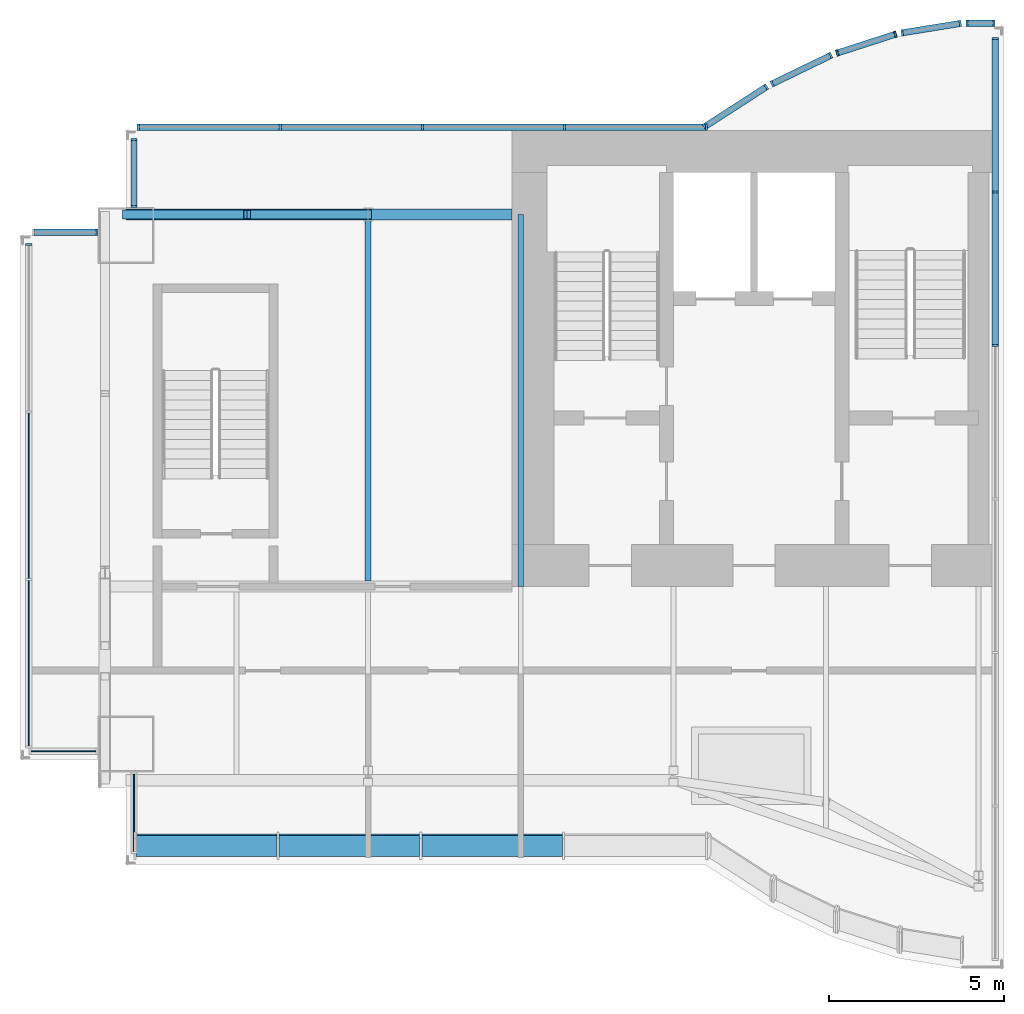
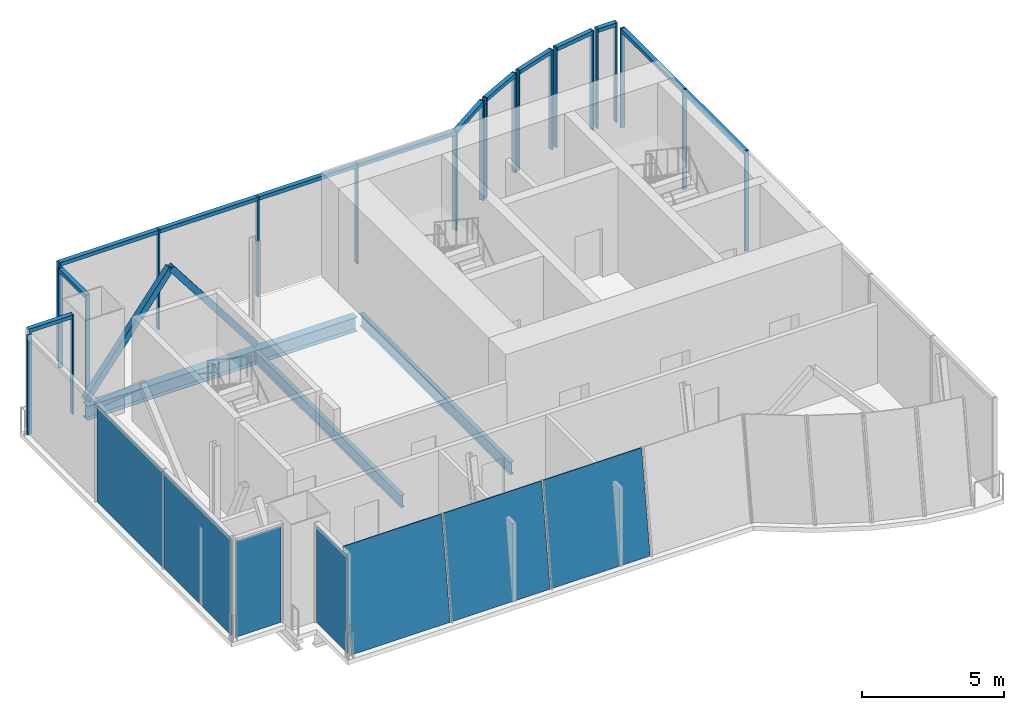
# One storey, part 2 of 6: 37 members, 7 plates, 4 beams, 13 elements without a shape of their own.
"""IFC4 building model written with IfcOpenShell, lengths in metres."""

import ifcopenshell
import ifcopenshell.guid

model = None  # the IFC model being written
_history = None  # IfcOwnerHistory: only IFC2X3 demands one
_inside = {}  # id of a spatial element -> (the spatial element, [elements in it])
_under = {}  # id of a project, library or spatial element -> (it, [spatial elements below it])
_declared = {}  # id of a project -> (the project, [libraries it declares])
_typed = {}  # id of a type object -> (the type object, [elements of that type])
_made_of = {}  # id of a material, layer set ... -> (it, [elements and type objects made of it])


def new_model(schema):
    """Start an empty IFC model of exactly this schema.

    Asked for "IFC4X3", IfcOpenShell would pick the latest addendum, in which some entities
    have other attributes; the version numbers below select the first issue.
    IFC2X3 requires an IfcOwnerHistory on every rooted entity: one is made here for all.
    """
    global model, _history
    if schema == "IFC4X3":
        model = ifcopenshell.file(schema_version=(4, 3, 0, 0))
    else:
        model = ifcopenshell.file(schema=schema)
    _inside.clear()
    _under.clear()
    _declared.clear()
    _typed.clear()
    _made_of.clear()
    _history = None
    if model.schema == "IFC2X3":
        org = make("IfcOrganization", Name="unknown")
        user = make(
            "IfcPersonAndOrganization",
            ThePerson=make("IfcPerson", FamilyName="unknown"),
            TheOrganization=org,
        )
        app = make(
            "IfcApplication",
            ApplicationDeveloper=org,
            Version="unknown",
            ApplicationFullName="unknown",
            ApplicationIdentifier="unknown",
        )
        _history = make(
            "IfcOwnerHistory",
            OwningUser=user,
            OwningApplication=app,
            ChangeAction="ADDED",
            CreationDate=0,
        )
    return model


def make(cls, **values):
    """One entity of the class cls with the attributes given. An attribute that is None is left unset."""
    return model.create_entity(
        cls, **{name: value for name, value in values.items() if value is not None}
    )


def rooted(cls, **values):
    """An entity with a GlobalId (a new one), such as an element, a storey or a relation."""
    return make(cls, GlobalId=ifcopenshell.guid.new(), OwnerHistory=_history, **values)


def si_unit(unit_type, name, prefix=None):
    """IfcSIUnit, for example si_unit("LENGTHUNIT", "METRE", prefix="MILLI")."""
    return make("IfcSIUnit", UnitType=unit_type, Prefix=prefix, Name=name)


def assignment(units):
    """IfcUnitAssignment: the units of a project."""
    return None if units is None else make("IfcUnitAssignment", Units=units)


def point(xyz):
    """IfcCartesianPoint."""
    return None if xyz is None else make("IfcCartesianPoint", Coordinates=xyz)


def direction(xyz):
    """IfcDirection."""
    return None if xyz is None else make("IfcDirection", DirectionRatios=xyz)


def frame(location, z_axis=None, x_axis=None):
    """IfcAxis2Placement3D, a coordinate frame: its origin and axes. An axis left out is left unset."""
    return make(
        "IfcAxis2Placement3D",
        Location=point(location),
        Axis=direction(z_axis),
        RefDirection=direction(x_axis),
    )


def frame_2d(location, x_axis=None):
    """IfcAxis2Placement2D, a coordinate frame in the plane: its origin and x axis."""
    return make(
        "IfcAxis2Placement2D", Location=point(location), RefDirection=direction(x_axis)
    )


def origin():
    """The frame at (0, 0, 0) with its axes left unset."""
    return frame((0.0, 0.0, 0.0))


def origin_2d():
    """The frame at (0, 0) in the plane with its x axis left unset."""
    return frame_2d((0.0, 0.0))


def place(relative_to, where):
    """IfcLocalPlacement: puts the frame where relative to a parent placement (None: the world)."""
    return make(
        "IfcLocalPlacement", PlacementRelTo=relative_to, RelativePlacement=where
    )


def context(
    kind, dimensions, precision=None, world=None, true_north=None, identifier=None
):
    """IfcGeometricRepresentationContext, for example the 3D "Model" context."""
    return make(
        "IfcGeometricRepresentationContext",
        ContextIdentifier=identifier,
        ContextType=kind,
        CoordinateSpaceDimension=dimensions,
        Precision=precision,
        WorldCoordinateSystem=world,
        TrueNorth=true_north,
    )


def subcontext(parent, identifier, kind, view, scale=None):
    """IfcGeometricRepresentationSubContext, for example "Body" below "Model"."""
    return make(
        "IfcGeometricRepresentationSubContext",
        ContextIdentifier=identifier,
        ContextType=kind,
        ParentContext=parent,
        TargetScale=scale,
        TargetView=view,
    )


def project(units=None, contexts=None):
    """IfcProject with its units and contexts."""
    return rooted(
        "IfcProject",
        Name="project",
        RepresentationContexts=contexts,
        UnitsInContext=assignment(units),
    )


def spatial(cls, under=None, at=None, **own):
    """A site, building, storey or space (cls), placed at a placement, below another one or the project."""
    s = rooted(cls, ObjectPlacement=at, **own)
    if under is not None:
        _under.setdefault(under.id(), (under, []))[1].append(s)
    return s


def polyline(points):
    """IfcPolyline through the points."""
    return make("IfcPolyline", Points=[point(p) for p in points])


def profile(cls, at=None, kind="AREA", **sizes):
    """A parametric profile (cls). Its sizes go by their IFC names, for example OverallWidth=200.0."""
    return make(cls, ProfileType=kind, Position=at, **sizes)


def rectangle(**sizes):
    """IfcRectangleProfileDef."""
    return profile("IfcRectangleProfileDef", **sizes)


def hollow_rectangle(**sizes):
    """IfcRectangleHollowProfileDef."""
    return profile("IfcRectangleHollowProfileDef", **sizes)


def i_section(**sizes):
    """IfcIShapeProfileDef."""
    return profile("IfcIShapeProfileDef", **sizes)


def outline(outer, holes=None, kind="AREA"):
    """IfcArbitraryClosedProfileDef: a profile drawn as a closed curve; with holes, ...WithVoids."""
    if holes is None:
        return make("IfcArbitraryClosedProfileDef", ProfileType=kind, OuterCurve=outer)
    return make(
        "IfcArbitraryProfileDefWithVoids",
        ProfileType=kind,
        OuterCurve=outer,
        InnerCurves=holes,
    )


def extrude(swept, where, along, depth):
    """IfcExtrudedAreaSolid: the profile swept, set in the frame where, extruded along a direction by depth."""
    return make(
        "IfcExtrudedAreaSolid",
        SweptArea=swept,
        Position=where,
        ExtrudedDirection=direction(along),
        Depth=depth,
    )


def shape(context_of_items, identifier, shape_type, items):
    """IfcShapeRepresentation: the items that make up one representation, for example the "Body"."""
    return make(
        "IfcShapeRepresentation",
        ContextOfItems=context_of_items,
        RepresentationIdentifier=identifier,
        RepresentationType=shape_type,
        Items=items,
    )


def material(Name=None, Category=None):
    """IfcMaterial."""
    return make("IfcMaterial", Name=Name, Category=Category)


def layer(
    of_material, thickness, ventilated=None, Name=None, Category=None, Priority=None
):
    """IfcMaterialLayer: one layer of a wall or slab, of a material (None: an air gap)."""
    return make(
        "IfcMaterialLayer",
        Material=of_material,
        LayerThickness=thickness,
        IsVentilated=ventilated,
        Name=Name,
        Category=Category,
        Priority=Priority,
    )


def layer_set(layers, Name=None):
    """IfcMaterialLayerSet."""
    return make("IfcMaterialLayerSet", MaterialLayers=layers, LayerSetName=Name)


def material_profile(
    of_material, cross_section, Name=None, Category=None, Priority=None
):
    """IfcMaterialProfile: a cross section and its material."""
    return make(
        "IfcMaterialProfile",
        Name=Name,
        Material=of_material,
        Profile=cross_section,
        Priority=Priority,
        Category=Category,
    )


def profile_set(profiles, Name=None, composite=None):
    """IfcMaterialProfileSet."""
    return make(
        "IfcMaterialProfileSet",
        Name=Name,
        MaterialProfiles=profiles,
        CompositeProfile=composite,
    )


def made_of(thing, what):
    """Note that an element or type object is made of a material, layer set ...; save() writes the relation."""
    if what is not None:
        _made_of.setdefault(what.id(), (what, []))[1].append(thing)
    return thing


def type_object(cls, material=None, **own):
    """A type object (cls), such as IfcWallType, which elements share."""
    return made_of(rooted(cls, **own), material)


def element(
    cls,
    number,
    at=None,
    inside=None,
    cuts=None,
    type_object=None,
    material=None,
    context=None,
    identifier="Body",
    shape_type=None,
    held_by="IfcProductDefinitionShape",
    body=None,
    shapes=None,
    **own,
):
    """One element of the class cls, such as IfcWall. Its Tag is "e" and its number.

    at: its placement. inside: the storey or other place that contains it. cuts: it is an
    opening in that element (IfcRelVoidsElement). A single representation is given by context,
    identifier, shape_type and body (its items); several are given by shapes. held_by: the class
    of the entity that holds the representations. save() writes the other relations.
    """
    e = rooted(cls, Tag="e%d" % number, ObjectPlacement=at, **own)
    if body is not None:
        shapes = [shape(context, identifier, shape_type, body)]
    if shapes is not None:
        e.Representation = make(held_by, Representations=shapes)
    if inside is not None:
        _inside.setdefault(inside.id(), (inside, []))[1].append(e)
    if cuts is not None:
        rooted(
            "IfcRelVoidsElement", RelatingBuildingElement=cuts, RelatedOpeningElement=e
        )
    if type_object is not None:
        _typed.setdefault(type_object.id(), (type_object, []))[1].append(e)
    return made_of(e, material)


def aggregate(whole, parts):
    """IfcRelAggregates: a whole, such as a stair, and the parts it consists of."""
    return rooted("IfcRelAggregates", RelatingObject=whole, RelatedObjects=parts)


def save(model, path):
    """Write the relations noted so far, then the file.

    IfcRelAggregates (storeys below a building ...), IfcRelContainedInSpatialStructure (elements
    in a storey), IfcRelDefinesByType, IfcRelAssociatesMaterial and IfcRelDeclares: one each for
    every whole, place, type object, material and project.
    """
    for whole, parts in _under.values():
        aggregate(whole, parts)
    for where, things in _inside.values():
        rooted(
            "IfcRelContainedInSpatialStructure",
            RelatedElements=things,
            RelatingStructure=where,
        )
    for kind, things in _typed.values():
        rooted("IfcRelDefinesByType", RelatedObjects=things, RelatingType=kind)
    for what, things in _made_of.values():
        rooted("IfcRelAssociatesMaterial", RelatedObjects=things, RelatingMaterial=what)
    for by, libraries in _declared.values():
        rooted("IfcRelDeclares", RelatingContext=by, RelatedDefinitions=libraries)
    model.write(path)


model = new_model("IFC4")

# Units and contexts
model_context = context("Model", 3, precision=1e-05, world=origin(), true_north=direction((0.0, 1.0)))
body_context = subcontext(model_context, "Body", "Model", "MODEL_VIEW")
ifc_project = project(units=[si_unit("LENGTHUNIT", "METRE"), si_unit("AREAUNIT", "SQUARE_METRE"), si_unit("VOLUMEUNIT", "CUBIC_METRE"), si_unit("PLANEANGLEUNIT", "RADIAN"), si_unit("MASSUNIT", "GRAM", prefix="KILO")], contexts=[model_context])

# Site, building, storey
site_placement = place(None, origin())
site = spatial("IfcSite", under=ifc_project, at=site_placement, CompositionType="ELEMENT")
building_placement = place(site_placement, origin())
building = spatial("IfcBuilding", under=site, at=building_placement, Name="Bicima Exchange Tower", CompositionType="ELEMENT")
storey_placement = place(building_placement, frame((0.0, 0.0, 365.89990234375)))
storey = spatial("IfcBuildingStorey", under=building, at=storey_placement, Name="L82", CompositionType="ELEMENT", Elevation=365.89990234375)

# Curtain wall, members
ifc_material_1 = material(Name="Anodised bronze aluminium", Category="aluminium")
curtain_wall_type = type_object("IfcCurtainWallType", Name="Crown glass wall", PredefinedType="NOTDEFINED", material=ifc_material_1)
curtain_wall_1_placement = place(storey_placement, origin())
curtain_wall_1 = element("IfcCurtainWall", 1, at=curtain_wall_1_placement, inside=storey, type_object=curtain_wall_type, Name="Crown glass wall L82 run 2", PredefinedType="NOTDEFINED")
ifc_material_profile_1 = material_profile(ifc_material_1, rectangle(XDim=0.179931640625, YDim=0.06005859375, at=origin_2d()))
ifc_profile_set_1 = profile_set([ifc_material_profile_1], Name="Anodised bronze aluminium")
member_type_1 = type_object("IfcMemberType", Name="Crown glass wall mullion 60 x 180", PredefinedType="MULLION", material=ifc_profile_set_1)
member_1_placement = place(storey_placement, frame((-8.22998046875, -6.134521484375, 0.0), z_axis=(0.0, 0.0, 1.0), x_axis=(-1.0, 0.0, 0.0)))
member_1 = element("IfcMember", 2, at=member_1_placement, type_object=member_type_1, Name="Crown glass wall mullion 5", PredefinedType="MULLION", context=body_context, shape_type="SweptSolid", body=[
    extrude(rectangle(XDim=0.179931640625, YDim=0.06005859375, at=origin_2d()), origin(), (0.0, 0.0, 1.0), 4.300048828125),
])
member_2_placement = place(storey_placement, frame((-8.22998046875, -1.7607421875, 0.0), z_axis=(0.0, 0.0, 1.0), x_axis=(-1.0, 0.0, 0.0)))
member_2 = element("IfcMember", 3, at=member_2_placement, type_object=member_type_1, Name="Crown glass wall mullion 6", PredefinedType="MULLION", context=body_context, shape_type="SweptSolid", body=[
    extrude(rectangle(XDim=0.179931640625, YDim=0.06005859375, at=origin_2d()), origin(), (0.0, 0.0, 1.0), 4.300048828125),
])
member_3_placement = place(storey_placement, frame((-8.22998046875, 2.613037109375, 0.0), z_axis=(0.0, 0.0, 1.0), x_axis=(-1.0, 0.0, 0.0)))
member_3 = element("IfcMember", 4, at=member_3_placement, type_object=member_type_1, Name="Crown glass wall mullion 7", PredefinedType="MULLION", context=body_context, shape_type="SweptSolid", body=[
    extrude(rectangle(XDim=0.179931640625, YDim=0.06005859375, at=origin_2d()), origin(), (0.0, 0.0, 1.0), 4.300048828125),
])

curtain_wall_2_placement = place(storey_placement, origin())
curtain_wall_2 = element("IfcCurtainWall", 5, at=curtain_wall_2_placement, inside=storey, type_object=curtain_wall_type, Name="Crown glass wall L82 run 3", PredefinedType="NOTDEFINED")
member_4_placement = place(storey_placement, frame((-8.260009765625, 3.052978515625, 0.0), z_axis=(0.0, 0.0, 1.0), x_axis=(0.0, -1.0, 0.0)))
member_4 = element("IfcMember", 6, at=member_4_placement, type_object=member_type_1, Name="Crown glass wall mullion 1", PredefinedType="MULLION", context=body_context, shape_type="SweptSolid", body=[
    extrude(rectangle(XDim=0.179931640625, YDim=0.06005859375, at=origin_2d()), origin(), (0.0, 0.0, 1.0), 4.300048828125),
])
member_5_placement = place(storey_placement, frame((-9.0283203125, 3.052978515625, 0.0), z_axis=(0.0, 0.0, 1.0), x_axis=(0.0, -1.0, 0.0)))
member_5 = element("IfcMember", 7, at=member_5_placement, type_object=member_type_1, Name="Crown glass wall mullion 2", PredefinedType="MULLION", context=body_context, shape_type="SweptSolid", body=[
    extrude(rectangle(XDim=0.179931640625, YDim=0.06005859375, at=origin_2d()), origin(), (0.0, 0.0, 1.0), 4.300048828125),
])

curtain_wall_3_placement = place(storey_placement, origin())
curtain_wall_3 = element("IfcCurtainWall", 8, at=curtain_wall_3_placement, inside=storey, type_object=curtain_wall_type, Name="Crown glass wall L82 run 4", PredefinedType="NOTDEFINED")
member_6_placement = place(storey_placement, frame((-9.22900390625, 3.044189453125, 0.0), z_axis=(0.0, 0.0, 1.0), x_axis=(0.159550386184, -0.987189786347, 0.0)))
member_6 = element("IfcMember", 9, at=member_6_placement, type_object=member_type_1, Name="Crown glass wall mullion 1", PredefinedType="MULLION", context=body_context, shape_type="SweptSolid", body=[
    extrude(rectangle(XDim=0.179931640625, YDim=0.06005859375, at=origin_2d()), origin(), (0.0, 0.0, 1.0), 4.300048828125),
])
member_7_placement = place(storey_placement, frame((-10.878662109375, 2.777587890625, 0.0), z_axis=(0.0, 0.0, 1.0), x_axis=(0.159550386184, -0.987189786347, 0.0)))
member_7 = element("IfcMember", 10, at=member_7_placement, type_object=member_type_1, Name="Crown glass wall mullion 2", PredefinedType="MULLION", context=body_context, shape_type="SweptSolid", body=[
    extrude(rectangle(XDim=0.179931640625, YDim=0.06005859375, at=origin_2d()), origin(), (0.0, 0.0, 1.0), 4.300048828125),
])

curtain_wall_4_placement = place(storey_placement, origin())
curtain_wall_4 = element("IfcCurtainWall", 11, at=curtain_wall_4_placement, inside=storey, type_object=curtain_wall_type, Name="Crown glass wall L82 run 5", PredefinedType="NOTDEFINED")
member_8_placement = place(storey_placement, frame((-11.072998046875, 2.73779296875, 0.0), z_axis=(0.0, 0.0, 1.0), x_axis=(0.307572519808, -0.951524642381, 0.0)))
member_8 = element("IfcMember", 12, at=member_8_placement, type_object=member_type_1, Name="Crown glass wall mullion 1", PredefinedType="MULLION", context=body_context, shape_type="SweptSolid", body=[
    extrude(rectangle(XDim=0.179931640625, YDim=0.06005859375, at=origin_2d()), origin(), (0.0, 0.0, 1.0), 4.300048828125),
])
member_9_placement = place(storey_placement, frame((-12.731689453125, 2.20166015625, 0.0), z_axis=(0.0, 0.0, 1.0), x_axis=(0.307572519808, -0.951524642381, 0.0)))
member_9 = element("IfcMember", 13, at=member_9_placement, type_object=member_type_1, Name="Crown glass wall mullion 2", PredefinedType="MULLION", context=body_context, shape_type="SweptSolid", body=[
    extrude(rectangle(XDim=0.179931640625, YDim=0.06005859375, at=origin_2d()), origin(), (0.0, 0.0, 1.0), 4.300048828125),
])

curtain_wall_5_placement = place(storey_placement, origin())
curtain_wall_5 = element("IfcCurtainWall", 14, at=curtain_wall_5_placement, inside=storey, type_object=curtain_wall_type, Name="Crown glass wall L82 run 6", PredefinedType="NOTDEFINED")
member_10_placement = place(storey_placement, frame((-12.913818359375, 2.135009765625, 0.0), z_axis=(0.0, 0.0, 1.0), x_axis=(0.436264762204, -0.899818346812, 0.0)))
member_10 = element("IfcMember", 15, at=member_10_placement, type_object=member_type_1, Name="Crown glass wall mullion 1", PredefinedType="MULLION", context=body_context, shape_type="SweptSolid", body=[
    extrude(rectangle(XDim=0.179931640625, YDim=0.06005859375, at=origin_2d()), origin(), (0.0, 0.0, 1.0), 4.300048828125),
])
member_11_placement = place(storey_placement, frame((-14.585205078125, 1.32470703125, 0.0), z_axis=(0.0, 0.0, 1.0), x_axis=(0.436264762204, -0.899818346812, 0.0)))
member_11 = element("IfcMember", 16, at=member_11_placement, type_object=member_type_1, Name="Crown glass wall mullion 2", PredefinedType="MULLION", context=body_context, shape_type="SweptSolid", body=[
    extrude(rectangle(XDim=0.179931640625, YDim=0.06005859375, at=origin_2d()), origin(), (0.0, 0.0, 1.0), 4.300048828125),
])

curtain_wall_6_placement = place(storey_placement, origin())
curtain_wall_6 = element("IfcCurtainWall", 17, at=curtain_wall_6_placement, inside=storey, type_object=curtain_wall_type, Name="Crown glass wall L82 run 7", PredefinedType="NOTDEFINED")
member_12_placement = place(storey_placement, frame((-14.752685546875, 1.23681640625, 0.0), z_axis=(0.0, 0.0, 1.0), x_axis=(0.542910648791, -0.839790466384, 0.0)))
member_12 = element("IfcMember", 18, at=member_12_placement, type_object=member_type_1, Name="Crown glass wall mullion 1", PredefinedType="MULLION", context=body_context, shape_type="SweptSolid", body=[
    extrude(rectangle(XDim=0.179931640625, YDim=0.06005859375, at=origin_2d()), origin(), (0.0, 0.0, 1.0), 4.300048828125),
])
member_13_placement = place(storey_placement, frame((-16.505126953125, 0.10400390625, 0.0), z_axis=(0.0, 0.0, 1.0), x_axis=(0.542910648791, -0.839790466384, 0.0)))
member_13 = element("IfcMember", 19, at=member_13_placement, type_object=member_type_1, Name="Crown glass wall mullion 2", PredefinedType="MULLION", context=body_context, shape_type="SweptSolid", body=[
    extrude(rectangle(XDim=0.179931640625, YDim=0.06005859375, at=origin_2d()), origin(), (0.0, 0.0, 1.0), 4.300048828125),
])

curtain_wall_7_placement = place(storey_placement, origin())
curtain_wall_7 = element("IfcCurtainWall", 20, at=curtain_wall_7_placement, inside=storey, type_object=curtain_wall_type, Name="Crown glass wall L82 run 8", PredefinedType="NOTDEFINED")
member_14_placement = place(storey_placement, frame((-16.462158203125, 0.090087890625, 0.0), z_axis=(0.0, 0.0, 1.0), x_axis=(0.0, -1.0, 0.0)))
member_14 = element("IfcMember", 21, at=member_14_placement, type_object=member_type_1, Name="Crown glass wall mullion 1", PredefinedType="MULLION", context=body_context, shape_type="SweptSolid", body=[
    extrude(rectangle(XDim=0.179931640625, YDim=0.06005859375, at=origin_2d()), origin(), (0.0, 0.0, 1.0), 4.300048828125),
])
member_15_placement = place(storey_placement, frame((-20.509033203125, 0.090087890625, 0.0), z_axis=(0.0, 0.0, 1.0), x_axis=(0.0, -1.0, 0.0)))
member_15 = element("IfcMember", 22, at=member_15_placement, type_object=member_type_1, Name="Crown glass wall mullion 2", PredefinedType="MULLION", context=body_context, shape_type="SweptSolid", body=[
    extrude(rectangle(XDim=0.179931640625, YDim=0.06005859375, at=origin_2d()), origin(), (0.0, 0.0, 1.0), 4.300048828125),
])
member_16_placement = place(storey_placement, frame((-24.55615234375, 0.090087890625, 0.0), z_axis=(0.0, 0.0, 1.0), x_axis=(0.0, -1.0, 0.0)))
member_16 = element("IfcMember", 23, at=member_16_placement, type_object=member_type_1, Name="Crown glass wall mullion 3", PredefinedType="MULLION", context=body_context, shape_type="SweptSolid", body=[
    extrude(rectangle(XDim=0.179931640625, YDim=0.06005859375, at=origin_2d()), origin(), (0.0, 0.0, 1.0), 4.300048828125),
])
member_17_placement = place(storey_placement, frame((-28.60302734375, 0.090087890625, 0.0), z_axis=(0.0, 0.0, 1.0), x_axis=(0.0, -1.0, 0.0)))
member_17 = element("IfcMember", 24, at=member_17_placement, type_object=member_type_1, Name="Crown glass wall mullion 4", PredefinedType="MULLION", context=body_context, shape_type="SweptSolid", body=[
    extrude(rectangle(XDim=0.179931640625, YDim=0.06005859375, at=origin_2d()), origin(), (0.0, 0.0, 1.0), 4.300048828125),
])
member_18_placement = place(storey_placement, frame((-32.64990234375, 0.090087890625, 0.0), z_axis=(0.0, 0.0, 1.0), x_axis=(0.0, -1.0, 0.0)))
member_18 = element("IfcMember", 25, at=member_18_placement, type_object=member_type_1, Name="Crown glass wall mullion 5", PredefinedType="MULLION", context=body_context, shape_type="SweptSolid", body=[
    extrude(rectangle(XDim=0.179931640625, YDim=0.06005859375, at=origin_2d()), origin(), (0.0, 0.0, 1.0), 4.300048828125),
])

curtain_wall_8_placement = place(storey_placement, origin())
curtain_wall_8 = element("IfcCurtainWall", 26, at=curtain_wall_8_placement, inside=storey, type_object=curtain_wall_type, Name="Crown glass wall L82 run 9", PredefinedType="NOTDEFINED")
member_19_placement = place(storey_placement, frame((-32.77001953125, -0.260009765625, 0.0), z_axis=(0.0, 0.0, 1.0), x_axis=(1.0, 0.0, 0.0)))
member_19 = element("IfcMember", 27, at=member_19_placement, type_object=member_type_1, Name="Crown glass wall mullion 1", PredefinedType="MULLION", context=body_context, shape_type="SweptSolid", body=[
    extrude(rectangle(XDim=0.179931640625, YDim=0.06005859375, at=origin_2d()), origin(), (0.0, 0.0, 1.0), 4.300048828125),
])
member_20_placement = place(storey_placement, frame((-32.77001953125, -2.169921875, 0.0), z_axis=(0.0, 0.0, 1.0), x_axis=(1.0, 0.0, 0.0)))
member_20 = element("IfcMember", 28, at=member_20_placement, type_object=member_type_1, Name="Crown glass wall mullion 2", PredefinedType="MULLION", context=body_context, shape_type="SweptSolid", body=[
    extrude(rectangle(XDim=0.179931640625, YDim=0.06005859375, at=origin_2d()), origin(), (0.0, 0.0, 1.0), 4.300048828125),
])

# Curtain wall, member
curtain_wall_9_placement = place(storey_placement, origin())
curtain_wall_9 = element("IfcCurtainWall", 29, at=curtain_wall_9_placement, inside=storey, type_object=curtain_wall_type, Name="Crown glass wall L82 run 10", PredefinedType="NOTDEFINED")
member_21_placement = place(storey_placement, frame((-33.830078125, -2.909912109375, 0.0), z_axis=(0.0, 0.0, 1.0), x_axis=(0.0, -1.0, 0.0)))
member_21 = element("IfcMember", 30, at=member_21_placement, type_object=member_type_1, Name="Crown glass wall mullion 1", PredefinedType="MULLION", context=body_context, shape_type="SweptSolid", body=[
    extrude(rectangle(XDim=0.179931640625, YDim=0.06005859375, at=origin_2d()), origin(), (0.0, 0.0, 1.0), 4.300048828125),
])

curtain_wall_10_placement = place(storey_placement, origin())
curtain_wall_10 = element("IfcCurtainWall", 31, at=curtain_wall_10_placement, inside=storey, type_object=curtain_wall_type, Name="Crown glass wall L82 run 11", PredefinedType="NOTDEFINED")
member_22_placement = place(storey_placement, frame((-35.77001953125, -3.260009765625, 0.0), z_axis=(0.0, 0.0, 1.0), x_axis=(1.0, 0.0, 0.0)))
member_22 = element("IfcMember", 32, at=member_22_placement, type_object=member_type_1, Name="Crown glass wall mullion 1", PredefinedType="MULLION", context=body_context, shape_type="SweptSolid", body=[
    extrude(rectangle(XDim=0.179931640625, YDim=0.06005859375, at=origin_2d()), origin(), (0.0, 0.0, 1.0), 4.300048828125),
])

# Member
ifc_material_profile_2 = material_profile(ifc_material_1, rectangle(XDim=0.179931640625, YDim=0.159912109375, at=origin_2d()))
ifc_profile_set_2 = profile_set([ifc_material_profile_2], Name="Anodised bronze aluminium")
member_type_2 = type_object("IfcMemberType", Name="Crown glass wall transom 160 x 180", PredefinedType="USERDEFINED", material=ifc_profile_set_2)
member_23_placement = place(storey_placement, frame((-8.22998046875, -6.1044921875, 4.22021484375), z_axis=(0.0, 1.0, 0.0), x_axis=(-1.0, 0.0, 0.0)))
member_23 = element("IfcMember", 33, at=member_23_placement, type_object=member_type_2, Name="Crown glass wall transom 5.1", ObjectType="TRANSOM", PredefinedType="USERDEFINED", context=body_context, shape_type="SweptSolid", body=[
    extrude(rectangle(XDim=0.179931640625, YDim=0.159912109375, at=origin_2d()), origin(), (0.0, 0.0, 1.0), 4.313720703125),
])

member_24_placement = place(storey_placement, frame((-8.22998046875, -1.730712890625, 4.22021484375), z_axis=(0.0, 1.0, 0.0), x_axis=(-1.0, 0.0, 0.0)))
member_24 = element("IfcMember", 34, at=member_24_placement, type_object=member_type_2, Name="Crown glass wall transom 6.1", ObjectType="TRANSOM", PredefinedType="USERDEFINED", context=body_context, shape_type="SweptSolid", body=[
    extrude(rectangle(XDim=0.179931640625, YDim=0.159912109375, at=origin_2d()), origin(), (0.0, 0.0, 1.0), 4.313720703125),
])

aggregate(curtain_wall_1, [member_1, member_2, member_3, member_23, member_24])

member_25_placement = place(storey_placement, frame((-8.2900390625, 3.052978515625, 4.22021484375), z_axis=(-1.0, 0.0, 0.0), x_axis=(0.0, -1.0, 0.0)))
member_25 = element("IfcMember", 35, at=member_25_placement, type_object=member_type_2, Name="Crown glass wall transom 1.1", ObjectType="TRANSOM", PredefinedType="USERDEFINED", context=body_context, shape_type="SweptSolid", body=[
    extrude(rectangle(XDim=0.179931640625, YDim=0.159912109375, at=origin_2d()), origin(), (0.0, 0.0, 1.0), 0.708251953125),
])

aggregate(curtain_wall_2, [member_4, member_5, member_25])

member_26_placement = place(storey_placement, frame((-9.258544921875, 3.039306640625, 4.22021484375), z_axis=(-0.987184958941, -0.159580252036, 0.0), x_axis=(0.159580252036, -0.987184958941, 0.0)))
member_26 = element("IfcMember", 36, at=member_26_placement, type_object=member_type_2, Name="Crown glass wall transom 1.1", ObjectType="TRANSOM", PredefinedType="USERDEFINED", context=body_context, shape_type="SweptSolid", body=[
    extrude(rectangle(XDim=0.179931640625, YDim=0.159912109375, at=origin_2d()), origin(), (0.0, 0.0, 1.0), 1.611083984375),
])

aggregate(curtain_wall_3, [member_6, member_7, member_26])

member_27_placement = place(storey_placement, frame((-11.1015625, 2.728515625, 4.22021484375), z_axis=(-0.951488244605, -0.307685099376, 0.0), x_axis=(0.307685099376, -0.951488244605, 0.0)))
member_27 = element("IfcMember", 37, at=member_27_placement, type_object=member_type_2, Name="Crown glass wall transom 1.1", ObjectType="TRANSOM", PredefinedType="USERDEFINED", context=body_context, shape_type="SweptSolid", body=[
    extrude(rectangle(XDim=0.179931640625, YDim=0.159912109375, at=origin_2d()), origin(), (0.0, 0.0, 1.0), 1.682861328125),
])

aggregate(curtain_wall_4, [member_8, member_9, member_27])

member_28_placement = place(storey_placement, frame((-12.94091796875, 2.121826171875, 4.22021484375), z_axis=(-0.899873884154, -0.436150195022, 0.0), x_axis=(0.436150195022, -0.899873884154, 0.0)))
member_28 = element("IfcMember", 38, at=member_28_placement, type_object=member_type_2, Name="Crown glass wall transom 1.1", ObjectType="TRANSOM", PredefinedType="USERDEFINED", context=body_context, shape_type="SweptSolid", body=[
    extrude(rectangle(XDim=0.179931640625, YDim=0.159912109375, at=origin_2d()), origin(), (0.0, 0.0, 1.0), 1.79736328125),
])

aggregate(curtain_wall_5, [member_10, member_11, member_28])

member_29_placement = place(storey_placement, frame((-14.77783203125, 1.220703125, 4.22021484375), z_axis=(-0.839751073679, -0.54297157776, 0.0), x_axis=(0.54297157776, -0.839751073679, 0.0)))
member_29 = element("IfcMember", 39, at=member_29_placement, type_object=member_type_2, Name="Crown glass wall transom 1.1", ObjectType="TRANSOM", PredefinedType="USERDEFINED", context=body_context, shape_type="SweptSolid", body=[
    extrude(rectangle(XDim=0.179931640625, YDim=0.159912109375, at=origin_2d()), origin(), (0.0, 0.0, 1.0), 2.02685546875),
])

aggregate(curtain_wall_6, [member_12, member_13, member_29])

member_30_placement = place(storey_placement, frame((-16.4921875, 0.090087890625, 4.22021484375), z_axis=(-1.0, 0.0, 0.0), x_axis=(0.0, -1.0, 0.0)))
member_30 = element("IfcMember", 40, at=member_30_placement, type_object=member_type_2, Name="Crown glass wall transom 1.1", ObjectType="TRANSOM", PredefinedType="USERDEFINED", context=body_context, shape_type="SweptSolid", body=[
    extrude(rectangle(XDim=0.179931640625, YDim=0.159912109375, at=origin_2d()), origin(), (0.0, 0.0, 1.0), 3.98681640625),
])

member_31_placement = place(storey_placement, frame((-20.5390625, 0.090087890625, 4.22021484375), z_axis=(-1.0, 0.0, 0.0), x_axis=(0.0, -1.0, 0.0)))
member_31 = element("IfcMember", 41, at=member_31_placement, type_object=member_type_2, Name="Crown glass wall transom 2.1", ObjectType="TRANSOM", PredefinedType="USERDEFINED", context=body_context, shape_type="SweptSolid", body=[
    extrude(rectangle(XDim=0.179931640625, YDim=0.159912109375, at=origin_2d()), origin(), (0.0, 0.0, 1.0), 3.987060546875),
])

member_32_placement = place(storey_placement, frame((-24.586181640625, 0.090087890625, 4.22021484375), z_axis=(-1.0, 0.0, 0.0), x_axis=(0.0, -1.0, 0.0)))
member_32 = element("IfcMember", 42, at=member_32_placement, type_object=member_type_2, Name="Crown glass wall transom 3.1", ObjectType="TRANSOM", PredefinedType="USERDEFINED", context=body_context, shape_type="SweptSolid", body=[
    extrude(rectangle(XDim=0.179931640625, YDim=0.159912109375, at=origin_2d()), origin(), (0.0, 0.0, 1.0), 3.98681640625),
])

member_33_placement = place(storey_placement, frame((-28.633056640625, 0.090087890625, 4.22021484375), z_axis=(-1.0, 0.0, 0.0), x_axis=(0.0, -1.0, 0.0)))
member_33 = element("IfcMember", 43, at=member_33_placement, type_object=member_type_2, Name="Crown glass wall transom 4.1", ObjectType="TRANSOM", PredefinedType="USERDEFINED", context=body_context, shape_type="SweptSolid", body=[
    extrude(rectangle(XDim=0.179931640625, YDim=0.159912109375, at=origin_2d()), origin(), (0.0, 0.0, 1.0), 3.987060546875),
])

aggregate(curtain_wall_7, [member_14, member_15, member_16, member_17, member_18, member_30, member_31, member_32, member_33])

member_34_placement = place(storey_placement, frame((-32.77001953125, -0.2900390625, 4.22021484375), z_axis=(0.0, -1.0, 0.0), x_axis=(1.0, 0.0, 0.0)))
member_34 = element("IfcMember", 44, at=member_34_placement, type_object=member_type_2, Name="Crown glass wall transom 1.1", ObjectType="TRANSOM", PredefinedType="USERDEFINED", context=body_context, shape_type="SweptSolid", body=[
    extrude(rectangle(XDim=0.179931640625, YDim=0.159912109375, at=origin_2d()), origin(), (0.0, 0.0, 1.0), 1.849853515625),
])

aggregate(curtain_wall_8, [member_19, member_20, member_34])

member_35_placement = place(storey_placement, frame((-33.860107421875, -2.909912109375, 4.22021484375), z_axis=(-1.0, 0.0, 0.0), x_axis=(0.0, -1.0, 0.0)))
member_35 = element("IfcMember", 45, at=member_35_placement, type_object=member_type_2, Name="Crown glass wall transom 1.1", ObjectType="TRANSOM", PredefinedType="USERDEFINED", context=body_context, shape_type="SweptSolid", body=[
    extrude(rectangle(XDim=0.179931640625, YDim=0.159912109375, at=origin_2d()), origin(), (0.0, 0.0, 1.0), 1.760009765625),
])

aggregate(curtain_wall_9, [member_21, member_35])

# Beams
ifc_material_2 = material(Name="Steel ASTM A992 Gr 50", Category="steel")
ifc_material_profile_3 = material_profile(ifc_material_2, i_section(OverallWidth=0.165771484375, OverallDepth=0.5283203125, WebThickness=0.009765625, FlangeThickness=0.013671875, at=origin_2d()))
ifc_profile_set_3 = profile_set([ifc_material_profile_3], Name="Steel ASTM A992 Gr 50")
beam_type_1 = type_object("IfcBeamType", Name="Floor beam W21x50", PredefinedType="JOIST", material=ifc_profile_set_3)
beam_1_placement = place(storey_placement, frame((-26.10009765625, -2.5625, -0.464111328125), z_axis=(0.0, -1.0, 0.0), x_axis=(1.0, 0.0, 0.0)))
element("IfcBeam", 46, at=beam_1_placement, inside=storey, type_object=beam_type_1, Name="Floor beam", PredefinedType="JOIST", context=body_context, shape_type="SweptSolid", body=[
    extrude(i_section(OverallWidth=0.165771484375, OverallDepth=0.5283203125, WebThickness=0.009765625, FlangeThickness=0.013671875, at=origin_2d()), origin(), (0.0, 0.0, 1.0), 10.28515625),
])
beam_2_placement = place(storey_placement, frame((-21.75, -2.39990234375, -0.464111328125), z_axis=(0.0, -1.0, 0.0), x_axis=(1.0, 0.0, 0.0)))
element("IfcBeam", 47, at=beam_2_placement, inside=storey, type_object=beam_type_1, Name="Floor beam", PredefinedType="JOIST", context=body_context, shape_type="SweptSolid", body=[
    extrude(i_section(OverallWidth=0.165771484375, OverallDepth=0.5283203125, WebThickness=0.009765625, FlangeThickness=0.013671875, at=origin_2d()), origin(), (0.0, 0.0, 1.0), 10.60009765625),
])

# Members
ifc_material_3 = material(Name="Steel ASTM A572 Gr 50", Category="steel")
ifc_material_profile_4 = material_profile(ifc_material_3, hollow_rectangle(XDim=0.25390625, YDim=0.25390625, WallThickness=0.01171875, at=origin_2d()))
ifc_profile_set_4 = profile_set([ifc_material_profile_4], Name="Steel ASTM A572 Gr 50")
member_type_3 = type_object("IfcMemberType", Name="Mega brace HSS10x10x1/2", PredefinedType="BRACE", material=ifc_profile_set_4)
for number, where, z_axis, x_axis, name in (
    (48, (-33.0, -2.39990234375, 0.0), (0.608426120198, 0.0, 0.793610519248), (0.0, 1.0, 0.0), "Mega brace rear"),
    (49, (-26.10009765625, -2.39990234375, 0.0), (-0.608426120198, 0.0, 0.793610519248), (0.0, -1.0, 0.0), "Mega brace rear"),
):
    element("IfcMember", number, at=place(storey_placement, frame(where, z_axis=z_axis, x_axis=x_axis)), inside=storey, type_object=member_type_3, Name=name, PredefinedType="BRACE", context=body_context, shape_type="SweptSolid", body=[
        extrude(hollow_rectangle(XDim=0.25390625, YDim=0.25390625, WallThickness=0.01171875, at=origin_2d()), origin(), (0.0, 0.0, 1.0), 5.670166015625),
    ])

# Beams
ifc_material_profile_5 = material_profile(ifc_material_2, i_section(OverallWidth=0.3251953125, OverallDepth=0.612060546875, WebThickness=0.0126953125, FlangeThickness=0.01904296875, at=origin_2d()))
ifc_profile_set_5 = profile_set([ifc_material_profile_5], Name="Steel ASTM A992 Gr 50")
beam_type_2 = type_object("IfcBeamType", Name="Rear girder W24x104", PredefinedType="BEAM", material=ifc_profile_set_5)
beam_3_placement = place(storey_placement, frame((-22.0, -2.39990234375, -0.506103515625), z_axis=(-1.0, 0.0, 0.0), x_axis=(0.0, -1.0, 0.0)))
element("IfcBeam", 50, at=beam_3_placement, inside=storey, type_object=beam_type_2, Name="Rear girder", PredefinedType="BEAM", context=body_context, shape_type="SweptSolid", body=[
    extrude(i_section(OverallWidth=0.3251953125, OverallDepth=0.612060546875, WebThickness=0.0126953125, FlangeThickness=0.01904296875, at=origin_2d()), origin(), (0.0, 0.0, 1.0), 4.10009765625),
])
beam_4_placement = place(storey_placement, frame((-26.10009765625, -2.39990234375, -0.506103515625), z_axis=(-1.0, 0.0, 0.0), x_axis=(0.0, -1.0, 0.0)))
element("IfcBeam", 51, at=beam_4_placement, inside=storey, type_object=beam_type_2, Name="Rear girder", PredefinedType="BEAM", context=body_context, shape_type="SweptSolid", body=[
    extrude(i_section(OverallWidth=0.3251953125, OverallDepth=0.612060546875, WebThickness=0.0126953125, FlangeThickness=0.01904296875, at=origin_2d()), origin(), (0.0, 0.0, 1.0), 6.89990234375),
])

# Plate
ifc_material_4 = material(Name="Bronze tinted glass", Category="glass")
ifc_layer = layer(ifc_material_4, 0.035888671875)
ifc_layer_set = layer_set([ifc_layer], Name="Bronze tinted glass")
plate_type = type_object("IfcPlateType", Name="Crown glass wall glass panel 36", PredefinedType="CURTAIN_PANEL", material=ifc_layer_set)
plate_1_placement = place(storey_placement, frame((-35.77001953125, -10.418212890625, 0.0), z_axis=(0.0, 0.0, 1.0), x_axis=(0.0, -1.0, 0.0)))
plate_1 = element("IfcPlate", 52, at=plate_1_placement, type_object=plate_type, Name="Crown glass wall panel 2.1", PredefinedType="CURTAIN_PANEL", context=body_context, shape_type="SweptSolid", body=[
    extrude(rectangle(XDim=4.712158203125, YDim=0.035888671875, at=origin_2d()), origin(), (0.0, 0.0, 1.0), 4.139892578125),
])

plate_2_placement = place(storey_placement, frame((-35.77001953125, -15.190185546875, 0.0), z_axis=(0.0, 0.0, 1.0), x_axis=(0.0, -1.0, 0.0)))
plate_2 = element("IfcPlate", 53, at=plate_2_placement, type_object=plate_type, Name="Crown glass wall panel 3.1", PredefinedType="CURTAIN_PANEL", context=body_context, shape_type="SweptSolid", body=[
    extrude(rectangle(XDim=4.712158203125, YDim=0.035888671875, at=origin_2d()), origin(), (0.0, 0.0, 1.0), 4.139892578125),
])

aggregate(curtain_wall_10, [member_22, plate_1, plate_2])

# Curtain wall, plate
curtain_wall_11_placement = place(storey_placement, origin())
curtain_wall_11 = element("IfcCurtainWall", 54, at=curtain_wall_11_placement, inside=storey, type_object=curtain_wall_type, Name="Crown glass wall L82 run 12", PredefinedType="NOTDEFINED")
plate_3_placement = place(storey_placement, frame((-34.784912109375, -17.6962890625, 0.0), z_axis=(0.0, 0.0, 1.0), x_axis=(1.0, 0.0, 0.0)))
plate_3 = element("IfcPlate", 55, at=plate_3_placement, type_object=plate_type, Name="Crown glass wall panel 1.1", PredefinedType="CURTAIN_PANEL", context=body_context, shape_type="SweptSolid", body=[
    extrude(rectangle(XDim=1.85009765625, YDim=0.035888671875, at=origin_2d()), origin(), (0.0, 0.0, 1.0), 4.139892578125),
])
aggregate(curtain_wall_11, [plate_3])

curtain_wall_12_placement = place(storey_placement, origin())
curtain_wall_12 = element("IfcCurtainWall", 56, at=curtain_wall_12_placement, inside=storey, type_object=curtain_wall_type, Name="Crown glass wall L82 run 13", PredefinedType="NOTDEFINED")
plate_4_placement = place(storey_placement, frame((-32.77001953125, -19.447265625, 0.0), z_axis=(0.0, 0.0, 1.0), x_axis=(0.0, -1.0, 0.0)))
plate_4 = element("IfcPlate", 57, at=plate_4_placement, type_object=plate_type, Name="Crown glass wall panel 1.1", PredefinedType="CURTAIN_PANEL", context=body_context, shape_type="SweptSolid", body=[
    extrude(rectangle(XDim=2.1982421875, YDim=0.035888671875, at=origin_2d()), origin(), (0.0, 0.0, 1.0), 4.139892578125),
])
aggregate(curtain_wall_12, [plate_4])

# Curtain wall, plates
curtain_wall_13_placement = place(storey_placement, origin())
curtain_wall_13 = element("IfcCurtainWall", 58, at=curtain_wall_13_placement, inside=storey, type_object=curtain_wall_type, Name="Crown tilted glass L82 14.1", PredefinedType="NOTDEFINED")
plate_5_placement = place(storey_placement, frame((-32.7099609375, -20.6962890625, 0.0), z_axis=(0.0, -0.99027074745, 0.139154039626), x_axis=(1.0, 0.0, 0.0)))
plate_5 = element("IfcPlate", 59, at=plate_5_placement, type_object=plate_type, Name="Crown tilted glass panel 1", PredefinedType="CURTAIN_PANEL", context=body_context, shape_type="SweptSolid", body=[
    extrude(outline(polyline([(0.0, 0.0), (4.009521484375, 0.0), (4.009521484375, 4.342296123758884), (0.0, 4.342296123758884), (0.0, 0.0)])), origin(), (0.0, 0.0, -1.0), 0.035888671875),
])
plate_6_placement = place(storey_placement, frame((-28.640380859375, -20.6962890625, 0.0), z_axis=(0.0, -0.99027074745, 0.139154039626), x_axis=(1.0, 0.0, 0.0)))
plate_6 = element("IfcPlate", 60, at=plate_6_placement, type_object=plate_type, Name="Crown tilted glass panel 2", PredefinedType="CURTAIN_PANEL", context=body_context, shape_type="SweptSolid", body=[
    extrude(outline(polyline([(0.0, 0.0), (4.00927734375, 0.0), (4.00927734375, 4.342296123758885), (0.0, 4.342296123758885), (0.0, 0.0)])), origin(), (0.0, 0.0, -1.0), 0.035888671875),
])
plate_7_placement = place(storey_placement, frame((-24.571044921875, -20.6962890625, 0.0), z_axis=(0.0, -0.99027074745, 0.139154039626), x_axis=(1.0, 0.0, 0.0)))
plate_7 = element("IfcPlate", 61, at=plate_7_placement, type_object=plate_type, Name="Crown tilted glass panel 3", PredefinedType="CURTAIN_PANEL", context=body_context, shape_type="SweptSolid", body=[
    extrude(outline(polyline([(0.0, 0.0), (4.009521484375, 0.0), (4.009521484375, 4.342296123758884), (0.0, 4.342296123758884), (0.0, 0.0)])), origin(), (0.0, 0.0, -1.0), 0.035888671875),
])
aggregate(curtain_wall_13, [plate_5, plate_6, plate_7])

save(model, "model.ifc")
